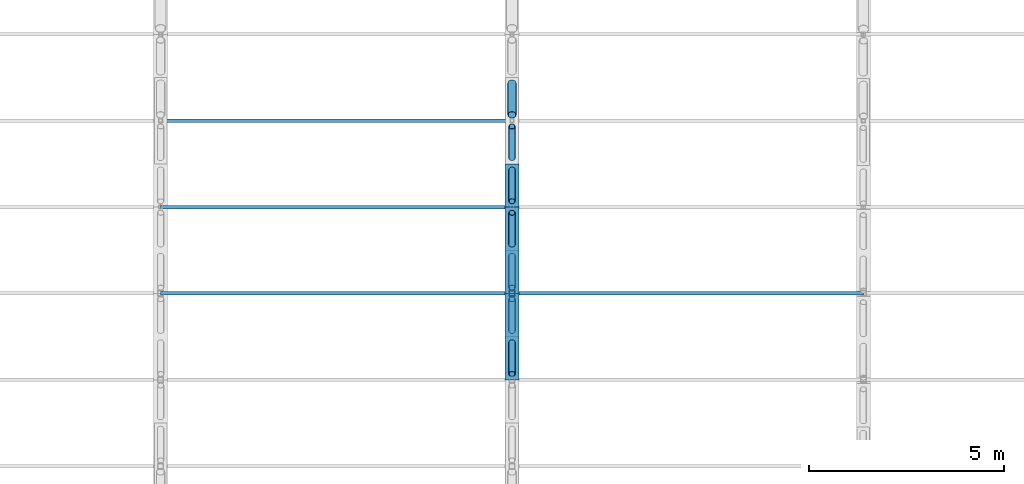
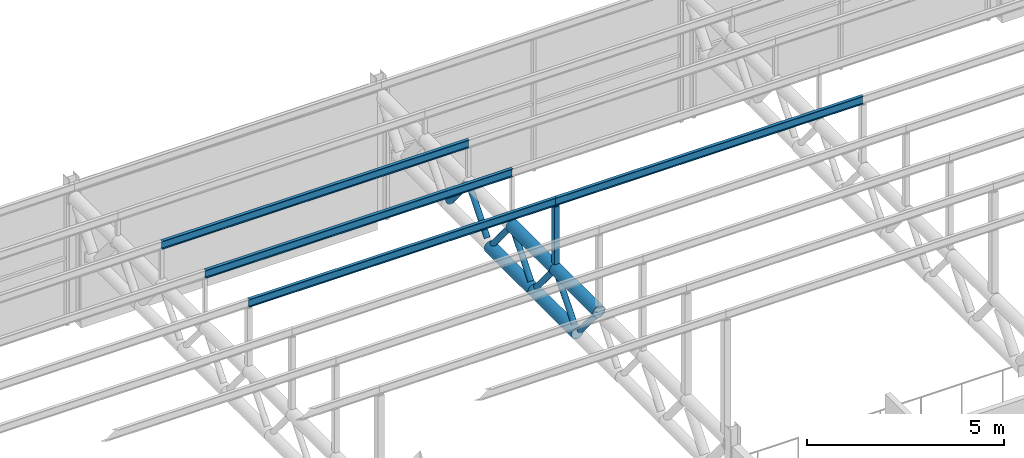
# One storey, part 45 of 138: 16 members.
"""IFC4 building model written with IfcOpenShell, lengths in metres."""

from ifc_helpers import new_model, si_unit, direction, frame, origin, origin_2d, place, context, subcontext, project, spatial, hollow_rectangle, hollow_circle, i_section, extrude, material, material_profile, profile_set, type_object, element, save


model = new_model("IFC4")

# Units and contexts
model_context = context("Model", 3, precision=1e-05, world=origin(), true_north=direction((0.0, 1.0)))
body_context = subcontext(model_context, "Body", "Model", "MODEL_VIEW")
ifc_project = project(units=[si_unit("LENGTHUNIT", "METRE"), si_unit("AREAUNIT", "SQUARE_METRE"), si_unit("VOLUMEUNIT", "CUBIC_METRE"), si_unit("PLANEANGLEUNIT", "RADIAN"), si_unit("MASSUNIT", "GRAM", prefix="KILO")], contexts=[model_context])

# Site, building, storey
site_placement = place(None, origin())
site = spatial("IfcSite", under=ifc_project, at=site_placement, CompositionType="ELEMENT")
building_placement = place(site_placement, origin())
building = spatial("IfcBuilding", under=site, at=building_placement, Name="Corbel Yard City Hall", CompositionType="ELEMENT")
storey_placement = place(building_placement, frame((0.0, 0.0, 10.5)))
storey = spatial("IfcBuildingStorey", under=building, at=storey_placement, Name="L02", CompositionType="ELEMENT", Elevation=10.5)

# Members
ifc_material_1 = material(Name="Steel Grade C350L0", Category="steel")
ifc_material_profile_1 = material_profile(ifc_material_1, hollow_circle(Radius=0.177734375, WallThickness=0.0126953125, at=origin_2d()), Name="355.6x12.7CHS")
ifc_profile_set_1 = profile_set([ifc_material_profile_1], Name="Steel Grade C350L0")
member_type_1 = type_object("IfcMemberType", Name="Hall roof truss bottom chord 355.6x12.7CHS", PredefinedType="CHORD", material=ifc_profile_set_1)
for number, where, z_axis, x_axis, name in (
    (1, (72.0, 16.89404296875, 2.59228515625), (0.0, 1.0, 0.0), (-1.0, 0.0, 0.0), "Hall roof truss bottom chord 355.6x12.7CHS TC3"),
    (2, (72.0, 19.10595703125, 2.59228515625), (0.0, 1.0, 0.0), (-1.0, 0.0, 0.0), "Hall roof truss bottom chord 355.6x12.7CHS TC3"),
):
    element("IfcMember", number, at=place(storey_placement, frame(where, z_axis=z_axis, x_axis=x_axis)), inside=storey, type_object=member_type_1, Name=name, PredefinedType="CHORD", context=body_context, shape_type="SweptSolid", body=[
        extrude(hollow_circle(Radius=0.177734375, WallThickness=0.0126953125, at=origin_2d()), origin(), (0.0, 0.0, 1.0), 2.2119140625),
    ])
ifc_material_profile_2 = material_profile(ifc_material_1, hollow_circle(Radius=0.084228515625, WallThickness=0.007080078125, at=origin_2d()), Name="168.3x7.1CHS")
ifc_profile_set_2 = profile_set([ifc_material_profile_2], Name="Steel Grade C350L0")
member_type_2 = type_object("IfcMemberType", Name="Hall roof truss diagonal 168.3x7.1CHS", PredefinedType="STRUT", material=ifc_profile_set_2)
member_1_placement = place(storey_placement, frame((72.0, 15.93603515625, 3.744384765625), z_axis=(0.0, 0.639407153698, -0.768868318894), x_axis=(-1.0, 0.0, 0.0)))
element("IfcMember", 3, at=member_1_placement, inside=storey, type_object=member_type_2, Name="Hall roof truss diagonal 168.3x7.1CHS TD3", PredefinedType="STRUT", context=body_context, shape_type="SweptSolid", body=[
    extrude(hollow_circle(Radius=0.084228515625, WallThickness=0.007080078125, at=origin_2d()), origin(), (0.0, 0.0, 1.0), 1.267333984375),
])
for number, where, z_axis, x_axis, name in (
    (4, (72.0, 17.0419921875, 2.77001953125), (0.0, 0.639293245648, 0.768963032966), (-1.0, 0.0, 0.0), "Hall roof truss diagonal 168.3x7.1CHS TD3"),
    (5, (72.0, 18.14794921875, 3.744384765625), (0.0, 0.639293245648, -0.768963032966), (-1.0, 0.0, 0.0), "Hall roof truss diagonal 168.3x7.1CHS TD3"),
):
    element("IfcMember", number, at=place(storey_placement, frame(where, z_axis=z_axis, x_axis=x_axis)), inside=storey, type_object=member_type_2, Name=name, PredefinedType="STRUT", context=body_context, shape_type="SweptSolid", body=[
        extrude(hollow_circle(Radius=0.084228515625, WallThickness=0.007080078125, at=origin_2d()), origin(), (0.0, 0.0, 1.0), 1.26708984375),
    ])
for number, where, z_axis, x_axis, name in (
    (6, (72.0, 19.253662109375, 2.77001953125), (0.0, 0.639407153698, 0.768868318894), (-1.0, 0.0, 0.0), "Hall roof truss diagonal 168.3x7.1CHS TD3"),
    (7, (72.0, 20.359619140625, 3.744384765625), (0.0, 0.639407153698, -0.768868318894), (-1.0, 0.0, 0.0), "Hall roof truss diagonal 168.3x7.1CHS TD3"),
    (8, (72.0, 21.465576171875, 2.77001953125), (0.0, 0.639407153698, 0.768868318894), (-1.0, 0.0, 0.0), "Hall roof truss diagonal 168.3x7.1CHS TD3"),
):
    element("IfcMember", number, at=place(storey_placement, frame(where, z_axis=z_axis, x_axis=x_axis)), inside=storey, type_object=member_type_2, Name=name, PredefinedType="STRUT", context=body_context, shape_type="SweptSolid", body=[
        extrude(hollow_circle(Radius=0.084228515625, WallThickness=0.007080078125, at=origin_2d()), origin(), (0.0, 0.0, 1.0), 1.267333984375),
    ])
ifc_material_profile_3 = material_profile(ifc_material_1, hollow_circle(Radius=0.109619140625, WallThickness=0.00830078125, at=origin_2d()), Name="219.1x8.2CHS")
ifc_profile_set_3 = profile_set([ifc_material_profile_3], Name="Steel Grade C350L0")
member_type_3 = type_object("IfcMemberType", Name="Hall roof truss diagonal 219.1x8.2CHS", PredefinedType="STRUT", material=ifc_profile_set_3)
member_2_placement = place(storey_placement, frame((72.0, 22.571533203125, 3.744384765625), z_axis=(0.0, 0.639407153698, -0.768868318894), x_axis=(-1.0, 0.0, 0.0)))
element("IfcMember", 9, at=member_2_placement, inside=storey, type_object=member_type_3, Name="Hall roof truss diagonal 219.1x8.2CHS TD2", PredefinedType="STRUT", context=body_context, shape_type="SweptSolid", body=[
    extrude(hollow_circle(Radius=0.109619140625, WallThickness=0.00830078125, at=origin_2d()), origin(), (0.0, 0.0, 1.0), 1.267333984375),
])
ifc_material_profile_4 = material_profile(ifc_material_1, hollow_circle(Radius=0.177734375, WallThickness=0.0126953125, at=origin_2d()), Name="355.6x12.7CHS")
ifc_profile_set_4 = profile_set([ifc_material_profile_4], Name="Steel Grade C350L0")
member_type_4 = type_object("IfcMemberType", Name="Hall roof truss top chord 355.6x12.7CHS", PredefinedType="CHORD", material=ifc_profile_set_4)
for number, where, z_axis, x_axis, name in (
    (10, (72.0, 15.7880859375, 3.922119140625), (0.0, 1.0, 0.0), (-1.0, 0.0, 0.0), "Hall roof truss top chord 355.6x12.7CHS TC1"),
    (11, (72.0, 18.0, 3.922119140625), (0.0, 1.0, 0.0), (-1.0, 0.0, 0.0), "Hall roof truss top chord 355.6x12.7CHS TC1"),
):
    element("IfcMember", number, at=place(storey_placement, frame(where, z_axis=z_axis, x_axis=x_axis)), inside=storey, type_object=member_type_4, Name=name, PredefinedType="CHORD", context=body_context, shape_type="SweptSolid", body=[
        extrude(hollow_circle(Radius=0.177734375, WallThickness=0.0126953125, at=origin_2d()), origin(), (0.0, 0.0, 1.0), 2.2119140625),
    ])
ifc_material_2 = material(Name="Steel Grade 300 (300 MPa yield)", Category="steel")
ifc_material_profile_5 = material_profile(ifc_material_2, i_section(OverallWidth=0.090087890625, OverallDepth=0.25, WebThickness=0.008056640625, FlangeThickness=0.014892578125, at=origin_2d()), Name="250PFC")
ifc_profile_set_5 = profile_set([ifc_material_profile_5], Name="Steel Grade 300 (300 MPa yield)")
member_type_5 = type_object("IfcMemberType", Name="Purlin 250PFC", PredefinedType="PURLIN", material=ifc_profile_set_5)
for number, where, z_axis, x_axis, name in (
    (12, (63.0, 18.0, 6.01611328125), (1.0, 0.0, 0.0), (0.0, 1.0, 0.0), "Purlin 250PFC PU1"),
    (13, (63.0, 20.2119140625, 5.57373046875), (1.0, 0.0, 0.0), (0.0, 1.0, 0.0), "Purlin 250PFC PU1"),
    (14, (63.0, 22.423828125, 5.13134765625), (1.0, 0.0, 0.0), (0.0, 1.0, 0.0), "Purlin 250PFC PU1"),
    (15, (72.0, 18.0, 6.01611328125), (1.0, 0.0, 0.0), (0.0, 1.0, 0.0), "Purlin 250PFC PU1"),
):
    element("IfcMember", number, at=place(storey_placement, frame(where, z_axis=z_axis, x_axis=x_axis)), inside=storey, type_object=member_type_5, Name=name, PredefinedType="PURLIN", context=body_context, shape_type="SweptSolid", body=[
        extrude(i_section(OverallWidth=0.090087890625, OverallDepth=0.25, WebThickness=0.008056640625, FlangeThickness=0.014892578125, at=origin_2d()), origin(), (0.0, 0.0, 1.0), 9.0),
    ])
ifc_material_3 = material(Name="Steel Grade C450L0", Category="steel")
ifc_material_profile_6 = material_profile(ifc_material_3, hollow_rectangle(XDim=0.14990234375, YDim=0.14990234375, WallThickness=0.009033203125, at=origin_2d()), Name="150x150x9.0SHS")
ifc_profile_set_6 = profile_set([ifc_material_profile_6], Name="Steel Grade C450L0")
member_type_6 = type_object("IfcMemberType", Name="Roof post 150x150x9.0SHS", PredefinedType="POST", material=ifc_profile_set_6)
member_3_placement = place(storey_placement, frame((72.0, 18.0, 4.10009765625), z_axis=(0.0, 0.0, 1.0), x_axis=(1.0, 0.0, 0.0)))
element("IfcMember", 16, at=member_3_placement, inside=storey, type_object=member_type_6, Name="Roof post 150x150x9.0SHS RP2", PredefinedType="POST", context=body_context, shape_type="SweptSolid", body=[
    extrude(hollow_rectangle(XDim=0.14990234375, YDim=0.14990234375, WallThickness=0.009033203125, at=origin_2d()), origin(), (0.0, 0.0, 1.0), 1.791015625),
])

save(model, "model.ifc")
